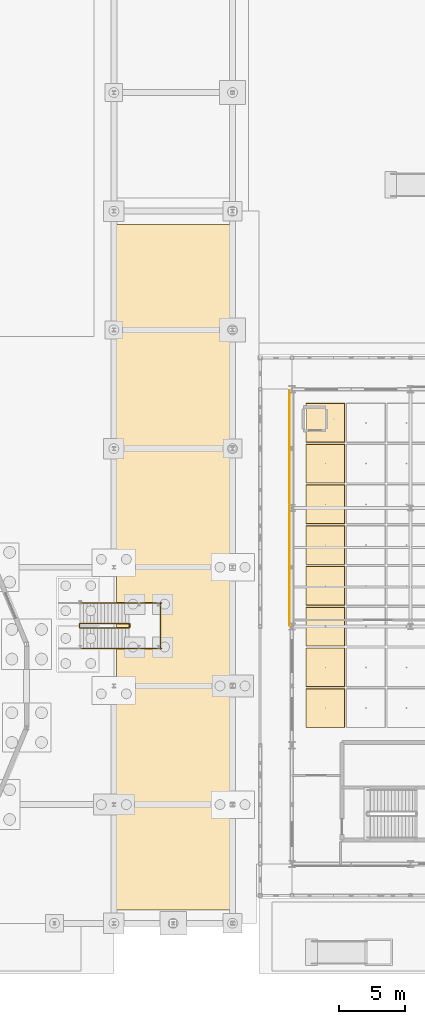
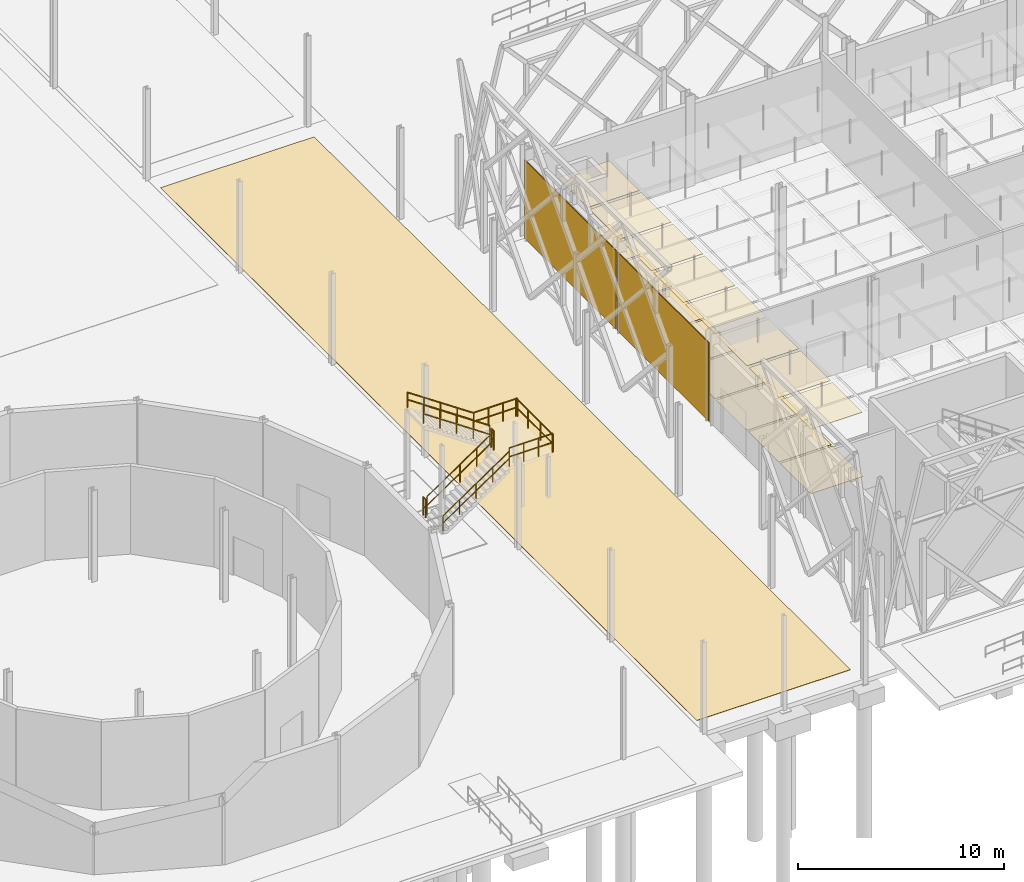
# One storey, part 162 of 180: 19 coverings, 9 railings.
"""IFC4 building model written with IfcOpenShell, lengths in metres."""

from ifc_helpers import new_model, si_unit, direction, frame, origin, origin_2d, place, context, subcontext, project, spatial, rectangle, circle, extrude, material, layer, layer_set, type_object, element, save


model = new_model("IFC4")

# Units and contexts
model_context = context("Model", 3, precision=1e-05, world=origin(), true_north=direction((0.0, 1.0)))
body_context = subcontext(model_context, "Body", "Model", "MODEL_VIEW")
ifc_project = project(units=[si_unit("LENGTHUNIT", "METRE"), si_unit("AREAUNIT", "SQUARE_METRE"), si_unit("VOLUMEUNIT", "CUBIC_METRE"), si_unit("PLANEANGLEUNIT", "RADIAN"), si_unit("MASSUNIT", "GRAM", prefix="KILO"), si_unit("THERMODYNAMICTEMPERATUREUNIT", "KELVIN"), si_unit("POWERUNIT", "WATT")], contexts=[model_context])

# Site, building, storey
site_placement = place(None, origin())
site = spatial("IfcSite", under=ifc_project, at=site_placement, CompositionType="ELEMENT")
building_placement = place(site_placement, origin())
building = spatial("IfcBuilding", under=site, at=building_placement, Name="Tallowbark Science Centre", CompositionType="ELEMENT")
storey_placement = place(building_placement, origin())
storey = spatial("IfcBuildingStorey", under=building, at=storey_placement, Name="L00", CompositionType="ELEMENT", Elevation=0.0)

# Coverings
ifc_material_1 = material(Name="Perforated Spotted Gum Acoustic Baffle Ceiling", Category="wood")
ifc_layer_1 = layer(ifc_material_1, 0.02490234375)
ifc_layer_set_1 = layer_set([ifc_layer_1], Name="Perforated Spotted Gum Acoustic Baffle Ceiling")
covering_type_1 = type_object("IfcCoveringType", Name="CLG-TIM-25", PredefinedType="CEILING", material=ifc_layer_set_1)
for number, where, z_axis, x_axis, name in (
    (1, (61.03564453125, 16.318115234375, 3.78759765625), (0.0, 0.0, 1.0), (1.0, 0.0, 0.0), "Suspended Ceiling L00-75"),
    (2, (61.03564453125, 19.4091796875, 3.78759765625), (0.0, 0.0, 1.0), (1.0, 0.0, 0.0), "Suspended Ceiling L00-76"),
    (3, (61.03564453125, 22.5, 3.78759765625), (0.0, 0.0, 1.0), (1.0, 0.0, 0.0), "Suspended Ceiling L00-77"),
    (4, (61.03564453125, 25.5908203125, 3.78759765625), (0.0, 0.0, 1.0), (1.0, 0.0, 0.0), "Suspended Ceiling L00-78"),
    (5, (61.03564453125, 28.681884765625, 3.78759765625), (0.0, 0.0, 1.0), (1.0, 0.0, 0.0), "Suspended Ceiling L00-79"),
    (6, (61.03564453125, 31.772705078125, 3.78759765625), (0.0, 0.0, 1.0), (1.0, 0.0, 0.0), "Suspended Ceiling L00-80"),
    (7, (61.03564453125, 34.863525390625, 3.78759765625), (0.0, 0.0, 1.0), (1.0, 0.0, 0.0), "Suspended Ceiling L00-81"),
    (8, (61.03564453125, 37.95458984375, 3.78759765625), (0.0, 0.0, 1.0), (1.0, 0.0, 0.0), "Suspended Ceiling L00-82"),
):
    element("IfcCovering", number, at=place(storey_placement, frame(where, z_axis=z_axis, x_axis=x_axis)), inside=storey, type_object=covering_type_1, Name=name, PredefinedType="CEILING", context=body_context, shape_type="SweptSolid", body=[
        extrude(rectangle(XDim=2.891357421875, YDim=2.910888671875, at=origin_2d()), origin(), (0.0, 0.0, 1.0), 0.02490234375),
    ])
ifc_material_2 = material(Name="Honed Hawkesbury Sandstone Civic Paving", Category="masonry")
ifc_layer_2 = layer(ifc_material_2, 0.0400390625)
ifc_layer_set_2 = layer_set([ifc_layer_2], Name="Honed Hawkesbury Sandstone Civic Paving")
covering_type_2 = type_object("IfcCoveringType", Name="COV-STN-PAV", PredefinedType="FLOORING", material=ifc_layer_set_2)
covering_placement = place(storey_placement, frame((49.5, 27.0, 0.0), z_axis=(0.0, 0.0, 1.0), x_axis=(1.0, 0.0, 0.0)))
element("IfcCovering", 9, at=covering_placement, inside=storey, type_object=covering_type_2, Name="Hawkesbury Sandstone Paving PAV-PASSAGE-S", PredefinedType="FLOORING", context=body_context, shape_type="SweptSolid", body=[
    extrude(rectangle(XDim=8.60009765625, YDim=52.0, at=origin_2d()), origin(), (0.0, 0.0, 1.0), 0.02001953125),
])
ifc_material_3 = material(Name="Spotted Gum Hardwood Architectural Rainscreen", Category="wood")
ifc_layer_3 = layer(ifc_material_3, 0.0419921875)
ifc_layer_set_3 = layer_set([ifc_layer_3], Name="Spotted Gum Hardwood Architectural Rainscreen")
covering_type_3 = type_object("IfcCoveringType", Name="COV-TIM-CLAD", PredefinedType="CLADDING", material=ifc_layer_set_3)
for number, where, z_axis, x_axis, name in (
    (10, (58.33154296875, 27.0, 0.0498046875), (0.0, 0.0, 1.0), (0.0, -1.0, 0.0), "Architectural Rainscreen CUB-W-L00-2"),
    (11, (58.33154296875, 36.0, 0.0498046875), (0.0, 0.0, 1.0), (0.0, -1.0, 0.0), "Architectural Rainscreen CUB-W-L00-3"),
):
    element("IfcCovering", number, at=place(storey_placement, frame(where, z_axis=z_axis, x_axis=x_axis)), inside=storey, type_object=covering_type_3, Name=name, PredefinedType="CLADDING", context=body_context, shape_type="SweptSolid", body=[
        extrude(rectangle(XDim=8.8798828125, YDim=0.0419921875, at=origin_2d()), origin(), (0.0, 0.0, 1.0), 4.646240234375),
    ])
ifc_material_4 = material(Name="Polished Recycled-Glass Terrazzo Foyer Flooring", Category="glass")
ifc_layer_4 = layer(ifc_material_4, 0.02001953125)
ifc_layer_set_4 = layer_set([ifc_layer_4], Name="Polished Recycled-Glass Terrazzo Foyer Flooring")
covering_type_4 = type_object("IfcCoveringType", Name="FLR-TER-20", PredefinedType="FLOORING", material=ifc_layer_set_4)
for number, where, z_axis, x_axis, name in (
    (12, (61.03564453125, 16.318115234375, 0.0), (0.0, 0.0, 1.0), (1.0, 0.0, 0.0), "Floor Finish L00-75"),
    (13, (61.03564453125, 19.4091796875, 0.0), (0.0, 0.0, 1.0), (1.0, 0.0, 0.0), "Floor Finish L00-76"),
    (14, (61.03564453125, 22.5, 0.0), (0.0, 0.0, 1.0), (1.0, 0.0, 0.0), "Floor Finish L00-77"),
    (15, (61.03564453125, 25.5908203125, 0.0), (0.0, 0.0, 1.0), (1.0, 0.0, 0.0), "Floor Finish L00-78"),
    (16, (61.03564453125, 28.681884765625, 0.0), (0.0, 0.0, 1.0), (1.0, 0.0, 0.0), "Floor Finish L00-79"),
    (17, (61.03564453125, 31.772705078125, 0.0), (0.0, 0.0, 1.0), (1.0, 0.0, 0.0), "Floor Finish L00-80"),
    (18, (61.03564453125, 34.863525390625, 0.0), (0.0, 0.0, 1.0), (1.0, 0.0, 0.0), "Floor Finish L00-81"),
    (19, (61.03564453125, 37.95458984375, 0.0), (0.0, 0.0, 1.0), (1.0, 0.0, 0.0), "Floor Finish L00-82"),
):
    element("IfcCovering", number, at=place(storey_placement, frame(where, z_axis=z_axis, x_axis=x_axis)), inside=storey, type_object=covering_type_4, Name=name, PredefinedType="FLOORING", context=body_context, shape_type="SweptSolid", body=[
        extrude(rectangle(XDim=2.951416015625, YDim=2.970947265625, at=origin_2d()), origin(), (0.0, 0.0, 1.0), 0.02001953125),
    ])

# Railings
ifc_material_5 = material(Name="Galvanised Painted Steel and Laminated Glass Balustrade", Category="steel")
ifc_layer_5 = layer(ifc_material_5, 0.070068359375)
ifc_layer_set_5 = layer_set([ifc_layer_5], Name="Galvanised Painted Steel and Laminated Glass Balustrade")
railing_type_1 = type_object("IfcRailingType", Name="RLG-BAL-1150", PredefinedType="BALUSTRADE", material=ifc_layer_set_5)
railing_1_placement = place(storey_placement, frame((42.449951171875, 22.39990234375, 0.179931640625)))
element("IfcRailing", 20, at=railing_1_placement, inside=storey, type_object=railing_type_1, Name="L00 ST-08 stair guard 1", PredefinedType="BALUSTRADE", context=body_context, shape_type="SweptSolid", body=[
    extrude(circle(Radius=0.02392578125, at=origin_2d()), frame((0.0, 0.0, 1.076171875), z_axis=(0.827211917306, 0.0, 0.561890063861), x_axis=(0.0, 1.0, 0.0)), (0.0, 0.0, 1.0), 4.48486328125),
    extrude(circle(Radius=0.02392578125, at=origin_2d()), frame((0.0, 0.0, 0.550048828125), z_axis=(0.827211917306, 0.0, 0.561890063861), x_axis=(0.0, 1.0, 0.0)), (0.0, 0.0, 1.0), 4.48486328125),
    extrude(circle(Radius=0.02099609375, at=origin_2d()), origin(), (0.0, 0.0, 1.0), 1.052001953125),
    extrude(circle(Radius=0.02099609375, at=origin_2d()), frame((0.927490234375, 0.0, 0.6298828125)), (0.0, 0.0, 1.0), 1.052001953125),
    extrude(circle(Radius=0.02099609375, at=origin_2d()), frame((1.85498046875, 0.0, 1.260009765625)), (0.0, 0.0, 1.0), 1.052001953125),
    extrude(circle(Radius=0.02099609375, at=origin_2d()), frame((2.782470703125, 0.0, 1.89013671875)), (0.0, 0.0, 1.0), 1.052001953125),
    extrude(circle(Radius=0.02099609375, at=origin_2d()), frame((3.7099609375, 0.0, 2.52001953125)), (0.0, 0.0, 1.0), 1.052001953125),
])
railing_2_placement = place(storey_placement, frame((46.2099609375, 22.449951171875, 2.699951171875)))
element("IfcRailing", 21, at=railing_2_placement, inside=storey, type_object=railing_type_1, Name="L00 ST-08 stair guard 2", PredefinedType="BALUSTRADE", context=body_context, shape_type="SweptSolid", body=[
    extrude(circle(Radius=0.02392578125, at=origin_2d()), frame((0.0, 0.0, 1.076171875), z_axis=(0.0, 1.0, 0.0), x_axis=(-1.0, 0.0, 0.0)), (0.0, 0.0, 1.0), 0.239990234375),
    extrude(circle(Radius=0.02392578125, at=origin_2d()), frame((0.0, 0.0, 0.550048828125), z_axis=(0.0, 1.0, 0.0), x_axis=(-1.0, 0.0, 0.0)), (0.0, 0.0, 1.0), 0.239990234375),
    extrude(circle(Radius=0.02099609375, at=origin_2d()), origin(), (0.0, 0.0, 1.0), 1.052001953125),
    extrude(circle(Radius=0.02099609375, at=origin_2d()), frame((0.0, 0.239990234375, 0.0)), (0.0, 0.0, 1.0), 1.052001953125),
])
for number, where, name in (
    (22, (46.159912109375, 20.85009765625, 2.699951171875), "L00 ST-08 stair guard 3"),
    (23, (46.159912109375, 24.2900390625, 2.699951171875), "L00 ST-08 stair guard 4"),
):
    element("IfcRailing", number, at=place(storey_placement, frame(where)), inside=storey, type_object=railing_type_1, Name=name, PredefinedType="BALUSTRADE", context=body_context, shape_type="SweptSolid", body=[
        extrude(circle(Radius=0.02392578125, at=origin_2d()), frame((0.0, 0.0, 1.076171875), z_axis=(1.0, 0.0, 0.0), x_axis=(0.0, 1.0, 0.0)), (0.0, 0.0, 1.0), 2.440185546875),
        extrude(circle(Radius=0.02392578125, at=origin_2d()), frame((0.0, 0.0, 0.550048828125), z_axis=(1.0, 0.0, 0.0), x_axis=(0.0, 1.0, 0.0)), (0.0, 0.0, 1.0), 2.440185546875),
        extrude(circle(Radius=0.02099609375, at=origin_2d()), origin(), (0.0, 0.0, 1.0), 1.052001953125),
        extrude(circle(Radius=0.02099609375, at=origin_2d()), frame((0.8134765625, 0.0, 0.0)), (0.0, 0.0, 1.0), 1.052001953125),
        extrude(circle(Radius=0.02099609375, at=origin_2d()), frame((1.626708984375, 0.0, 0.0)), (0.0, 0.0, 1.0), 1.052001953125),
        extrude(circle(Radius=0.02099609375, at=origin_2d()), frame((2.440185546875, 0.0, 0.0)), (0.0, 0.0, 1.0), 1.052001953125),
    ])
railing_3_placement = place(storey_placement, frame((48.550048828125, 20.800048828125, 2.699951171875)))
element("IfcRailing", 24, at=railing_3_placement, inside=storey, type_object=railing_type_1, Name="L00 ST-08 stair guard 5", PredefinedType="BALUSTRADE", context=body_context, shape_type="SweptSolid", body=[
    extrude(circle(Radius=0.02392578125, at=origin_2d()), frame((0.0, 0.0, 1.076171875), z_axis=(0.0, 1.0, 0.0), x_axis=(-1.0, 0.0, 0.0)), (0.0, 0.0, 1.0), 3.5400390625),
    extrude(circle(Radius=0.02392578125, at=origin_2d()), frame((0.0, 0.0, 0.550048828125), z_axis=(0.0, 1.0, 0.0), x_axis=(-1.0, 0.0, 0.0)), (0.0, 0.0, 1.0), 3.5400390625),
    extrude(circle(Radius=0.02099609375, at=origin_2d()), origin(), (0.0, 0.0, 1.0), 1.052001953125),
    extrude(circle(Radius=0.02099609375, at=origin_2d()), frame((0.0, 1.179931640625, 0.0)), (0.0, 0.0, 1.0), 1.052001953125),
    extrude(circle(Radius=0.02099609375, at=origin_2d()), frame((0.0, 2.360107421875, 0.0)), (0.0, 0.0, 1.0), 1.052001953125),
    extrude(circle(Radius=0.02099609375, at=origin_2d()), frame((0.0, 3.5400390625, 0.0)), (0.0, 0.0, 1.0), 1.052001953125),
])
railing_4_placement = place(storey_placement, frame((46.159912109375, 22.739990234375, 2.8798828125)))
element("IfcRailing", 25, at=railing_4_placement, inside=storey, type_object=railing_type_1, Name="L00 ST-08 stair guard 6", PredefinedType="BALUSTRADE", context=body_context, shape_type="SweptSolid", body=[
    extrude(circle(Radius=0.02392578125, at=origin_2d()), frame((0.0, 0.0, 1.076171875), z_axis=(-0.827211917306, 0.0, 0.561890063861), x_axis=(0.0, -1.0, 0.0)), (0.0, 0.0, 1.0), 4.48486328125),
    extrude(circle(Radius=0.02392578125, at=origin_2d()), frame((0.0, 0.0, 0.550048828125), z_axis=(-0.827211917306, 0.0, 0.561890063861), x_axis=(0.0, -1.0, 0.0)), (0.0, 0.0, 1.0), 4.48486328125),
    extrude(circle(Radius=0.02099609375, at=origin_2d()), origin(), (0.0, 0.0, 1.0), 1.052001953125),
    extrude(circle(Radius=0.02099609375, at=origin_2d()), frame((-0.927490234375, 0.0, 0.6298828125)), (0.0, 0.0, 1.0), 1.052001953125),
    extrude(circle(Radius=0.02099609375, at=origin_2d()), frame((-1.85498046875, 0.0, 1.260009765625)), (0.0, 0.0, 1.0), 1.052001953125),
    extrude(circle(Radius=0.02099609375, at=origin_2d()), frame((-2.782470703125, 0.0, 1.89013671875)), (0.0, 0.0, 1.0), 1.052001953125),
    extrude(circle(Radius=0.02099609375, at=origin_2d()), frame((-3.7099609375, 0.0, 2.52001953125)), (0.0, 0.0, 1.0), 1.052001953125),
])
railing_5_placement = place(storey_placement, frame((42.39990234375, 22.449951171875, 0.0)))
element("IfcRailing", 26, at=railing_5_placement, inside=storey, type_object=railing_type_1, Name="L00 ST-08 stair guard 7", PredefinedType="BALUSTRADE", context=body_context, shape_type="SweptSolid", body=[
    extrude(circle(Radius=0.02392578125, at=origin_2d()), frame((0.0, 0.0, 1.076171875), z_axis=(0.0, 1.0, 0.0), x_axis=(-1.0, 0.0, 0.0)), (0.0, 0.0, 1.0), 0.239990234375),
    extrude(circle(Radius=0.02392578125, at=origin_2d()), frame((0.0, 0.0, 0.550048828125), z_axis=(0.0, 1.0, 0.0), x_axis=(-1.0, 0.0, 0.0)), (0.0, 0.0, 1.0), 0.239990234375),
    extrude(circle(Radius=0.02099609375, at=origin_2d()), origin(), (0.0, 0.0, 1.0), 1.052001953125),
    extrude(circle(Radius=0.02099609375, at=origin_2d()), frame((0.0, 0.239990234375, 0.0)), (0.0, 0.0, 1.0), 1.052001953125),
])
ifc_material_6 = material(Name="Brushed Grade 316 Stainless Steel Handrail", Category="steel")
ifc_layer_6 = layer(ifc_material_6, 0.050048828125)
ifc_layer_set_6 = layer_set([ifc_layer_6], Name="Brushed Grade 316 Stainless Steel Handrail")
railing_type_2 = type_object("IfcRailingType", Name="RLG-HDR-950", PredefinedType="HANDRAIL", material=ifc_layer_set_6)
railing_6_placement = place(storey_placement, frame((42.449951171875, 20.85009765625, 0.179931640625)))
element("IfcRailing", 27, at=railing_6_placement, inside=storey, type_object=railing_type_2, Name="L00 ST-08 stair handrail 1", PredefinedType="HANDRAIL", context=body_context, shape_type="SweptSolid", body=[
    extrude(circle(Radius=0.02392578125, at=origin_2d()), frame((0.0, 0.0, 0.8759765625), z_axis=(0.827211917306, 0.0, 0.561890063861), x_axis=(0.0, 1.0, 0.0)), (0.0, 0.0, 1.0), 4.48486328125),
    extrude(circle(Radius=0.02392578125, at=origin_2d()), frame((0.0, 0.0, 0.449951171875), z_axis=(0.827211917306, 0.0, 0.561890063861), x_axis=(0.0, 1.0, 0.0)), (0.0, 0.0, 1.0), 4.48486328125),
    extrude(circle(Radius=0.02099609375, at=origin_2d()), origin(), (0.0, 0.0, 1.0), 0.851806640625),
    extrude(circle(Radius=0.02099609375, at=origin_2d()), frame((0.927490234375, 0.0, 0.6298828125)), (0.0, 0.0, 1.0), 0.851806640625),
    extrude(circle(Radius=0.02099609375, at=origin_2d()), frame((1.85498046875, 0.0, 1.260009765625)), (0.0, 0.0, 1.0), 0.851806640625),
    extrude(circle(Radius=0.02099609375, at=origin_2d()), frame((2.782470703125, 0.0, 1.89013671875)), (0.0, 0.0, 1.0), 0.851806640625),
    extrude(circle(Radius=0.02099609375, at=origin_2d()), frame((3.7099609375, 0.0, 2.52001953125)), (0.0, 0.0, 1.0), 0.851806640625),
])
railing_7_placement = place(storey_placement, frame((46.159912109375, 24.2900390625, 2.8798828125)))
element("IfcRailing", 28, at=railing_7_placement, inside=storey, type_object=railing_type_2, Name="L00 ST-08 stair handrail 2", PredefinedType="HANDRAIL", context=body_context, shape_type="SweptSolid", body=[
    extrude(circle(Radius=0.02392578125, at=origin_2d()), frame((0.0, 0.0, 0.8759765625), z_axis=(-0.827211917306, 0.0, 0.561890063861), x_axis=(0.0, -1.0, 0.0)), (0.0, 0.0, 1.0), 4.48486328125),
    extrude(circle(Radius=0.02392578125, at=origin_2d()), frame((0.0, 0.0, 0.449951171875), z_axis=(-0.827211917306, 0.0, 0.561890063861), x_axis=(0.0, -1.0, 0.0)), (0.0, 0.0, 1.0), 4.48486328125),
    extrude(circle(Radius=0.02099609375, at=origin_2d()), origin(), (0.0, 0.0, 1.0), 0.851806640625),
    extrude(circle(Radius=0.02099609375, at=origin_2d()), frame((-0.927490234375, 0.0, 0.6298828125)), (0.0, 0.0, 1.0), 0.851806640625),
    extrude(circle(Radius=0.02099609375, at=origin_2d()), frame((-1.85498046875, 0.0, 1.260009765625)), (0.0, 0.0, 1.0), 0.851806640625),
    extrude(circle(Radius=0.02099609375, at=origin_2d()), frame((-2.782470703125, 0.0, 1.89013671875)), (0.0, 0.0, 1.0), 0.851806640625),
    extrude(circle(Radius=0.02099609375, at=origin_2d()), frame((-3.7099609375, 0.0, 2.52001953125)), (0.0, 0.0, 1.0), 0.851806640625),
])

save(model, "model.ifc")
